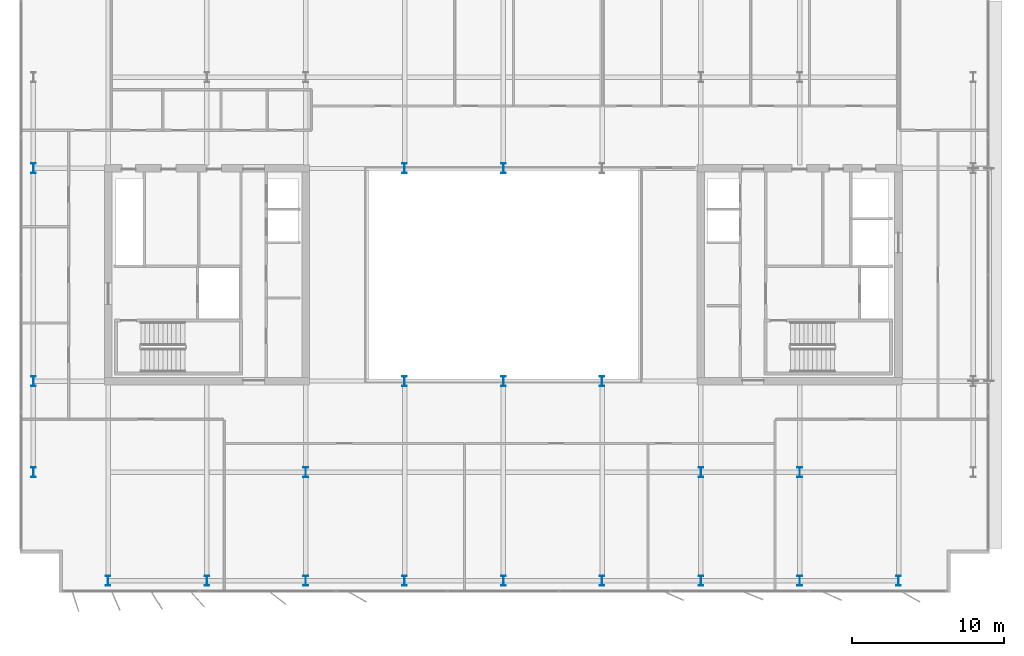
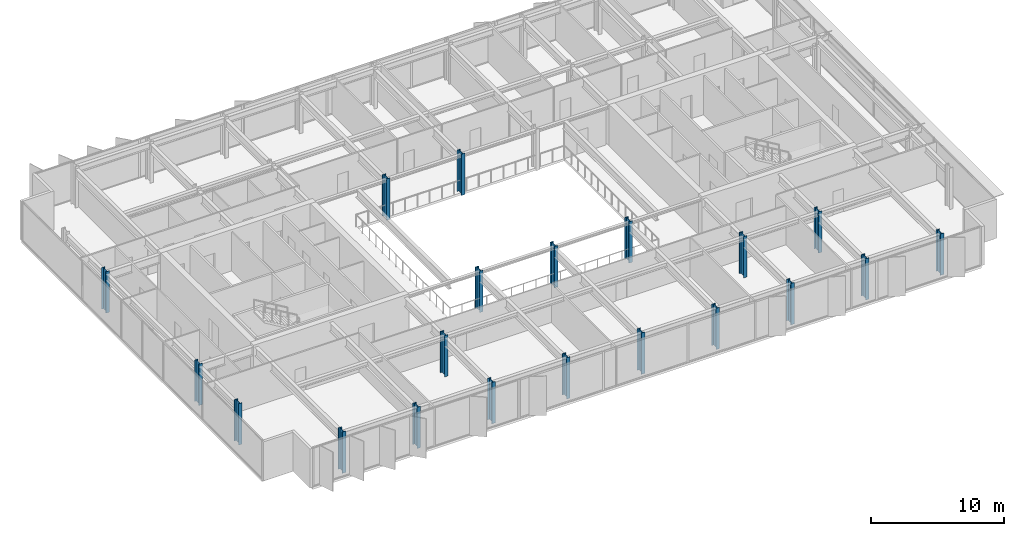
# One storey, part 1 of 19: 20 columns.
"""IFC4 building model written with IfcOpenShell, lengths in metres."""

import ifcopenshell
import ifcopenshell.guid

model = None  # the IFC model being written
_history = None  # IfcOwnerHistory: only IFC2X3 demands one
_inside = {}  # id of a spatial element -> (the spatial element, [elements in it])
_under = {}  # id of a project, library or spatial element -> (it, [spatial elements below it])
_declared = {}  # id of a project -> (the project, [libraries it declares])
_typed = {}  # id of a type object -> (the type object, [elements of that type])
_made_of = {}  # id of a material, layer set ... -> (it, [elements and type objects made of it])


def new_model(schema):
    """Start an empty IFC model of exactly this schema.

    Asked for "IFC4X3", IfcOpenShell would pick the latest addendum, in which some entities
    have other attributes; the version numbers below select the first issue.
    IFC2X3 requires an IfcOwnerHistory on every rooted entity: one is made here for all.
    """
    global model, _history
    if schema == "IFC4X3":
        model = ifcopenshell.file(schema_version=(4, 3, 0, 0))
    else:
        model = ifcopenshell.file(schema=schema)
    _inside.clear()
    _under.clear()
    _declared.clear()
    _typed.clear()
    _made_of.clear()
    _history = None
    if model.schema == "IFC2X3":
        org = make("IfcOrganization", Name="unknown")
        user = make(
            "IfcPersonAndOrganization",
            ThePerson=make("IfcPerson", FamilyName="unknown"),
            TheOrganization=org,
        )
        app = make(
            "IfcApplication",
            ApplicationDeveloper=org,
            Version="unknown",
            ApplicationFullName="unknown",
            ApplicationIdentifier="unknown",
        )
        _history = make(
            "IfcOwnerHistory",
            OwningUser=user,
            OwningApplication=app,
            ChangeAction="ADDED",
            CreationDate=0,
        )
    return model


def make(cls, **values):
    """One entity of the class cls with the attributes given. An attribute that is None is left unset."""
    return model.create_entity(
        cls, **{name: value for name, value in values.items() if value is not None}
    )


def rooted(cls, **values):
    """An entity with a GlobalId (a new one), such as an element, a storey or a relation."""
    return make(cls, GlobalId=ifcopenshell.guid.new(), OwnerHistory=_history, **values)


def si_unit(unit_type, name, prefix=None):
    """IfcSIUnit, for example si_unit("LENGTHUNIT", "METRE", prefix="MILLI")."""
    return make("IfcSIUnit", UnitType=unit_type, Prefix=prefix, Name=name)


def assignment(units):
    """IfcUnitAssignment: the units of a project."""
    return None if units is None else make("IfcUnitAssignment", Units=units)


def point(xyz):
    """IfcCartesianPoint."""
    return None if xyz is None else make("IfcCartesianPoint", Coordinates=xyz)


def direction(xyz):
    """IfcDirection."""
    return None if xyz is None else make("IfcDirection", DirectionRatios=xyz)


def frame(location, z_axis=None, x_axis=None):
    """IfcAxis2Placement3D, a coordinate frame: its origin and axes. An axis left out is left unset."""
    return make(
        "IfcAxis2Placement3D",
        Location=point(location),
        Axis=direction(z_axis),
        RefDirection=direction(x_axis),
    )


def frame_2d(location, x_axis=None):
    """IfcAxis2Placement2D, a coordinate frame in the plane: its origin and x axis."""
    return make(
        "IfcAxis2Placement2D", Location=point(location), RefDirection=direction(x_axis)
    )


def origin():
    """The frame at (0, 0, 0) with its axes left unset."""
    return frame((0.0, 0.0, 0.0))


def origin_2d():
    """The frame at (0, 0) in the plane with its x axis left unset."""
    return frame_2d((0.0, 0.0))


def place(relative_to, where):
    """IfcLocalPlacement: puts the frame where relative to a parent placement (None: the world)."""
    return make(
        "IfcLocalPlacement", PlacementRelTo=relative_to, RelativePlacement=where
    )


def context(
    kind, dimensions, precision=None, world=None, true_north=None, identifier=None
):
    """IfcGeometricRepresentationContext, for example the 3D "Model" context."""
    return make(
        "IfcGeometricRepresentationContext",
        ContextIdentifier=identifier,
        ContextType=kind,
        CoordinateSpaceDimension=dimensions,
        Precision=precision,
        WorldCoordinateSystem=world,
        TrueNorth=true_north,
    )


def subcontext(parent, identifier, kind, view, scale=None):
    """IfcGeometricRepresentationSubContext, for example "Body" below "Model"."""
    return make(
        "IfcGeometricRepresentationSubContext",
        ContextIdentifier=identifier,
        ContextType=kind,
        ParentContext=parent,
        TargetScale=scale,
        TargetView=view,
    )


def project(units=None, contexts=None):
    """IfcProject with its units and contexts."""
    return rooted(
        "IfcProject",
        Name="project",
        RepresentationContexts=contexts,
        UnitsInContext=assignment(units),
    )


def spatial(cls, under=None, at=None, **own):
    """A site, building, storey or space (cls), placed at a placement, below another one or the project."""
    s = rooted(cls, ObjectPlacement=at, **own)
    if under is not None:
        _under.setdefault(under.id(), (under, []))[1].append(s)
    return s


def profile(cls, at=None, kind="AREA", **sizes):
    """A parametric profile (cls). Its sizes go by their IFC names, for example OverallWidth=200.0."""
    return make(cls, ProfileType=kind, Position=at, **sizes)


def i_section(**sizes):
    """IfcIShapeProfileDef."""
    return profile("IfcIShapeProfileDef", **sizes)


def extrude(swept, where, along, depth):
    """IfcExtrudedAreaSolid: the profile swept, set in the frame where, extruded along a direction by depth."""
    return make(
        "IfcExtrudedAreaSolid",
        SweptArea=swept,
        Position=where,
        ExtrudedDirection=direction(along),
        Depth=depth,
    )


def shape(context_of_items, identifier, shape_type, items):
    """IfcShapeRepresentation: the items that make up one representation, for example the "Body"."""
    return make(
        "IfcShapeRepresentation",
        ContextOfItems=context_of_items,
        RepresentationIdentifier=identifier,
        RepresentationType=shape_type,
        Items=items,
    )


def material(Name=None, Category=None):
    """IfcMaterial."""
    return make("IfcMaterial", Name=Name, Category=Category)


def material_profile(
    of_material, cross_section, Name=None, Category=None, Priority=None
):
    """IfcMaterialProfile: a cross section and its material."""
    return make(
        "IfcMaterialProfile",
        Name=Name,
        Material=of_material,
        Profile=cross_section,
        Priority=Priority,
        Category=Category,
    )


def profile_set(profiles, Name=None, composite=None):
    """IfcMaterialProfileSet."""
    return make(
        "IfcMaterialProfileSet",
        Name=Name,
        MaterialProfiles=profiles,
        CompositeProfile=composite,
    )


def made_of(thing, what):
    """Note that an element or type object is made of a material, layer set ...; save() writes the relation."""
    if what is not None:
        _made_of.setdefault(what.id(), (what, []))[1].append(thing)
    return thing


def type_object(cls, material=None, **own):
    """A type object (cls), such as IfcWallType, which elements share."""
    return made_of(rooted(cls, **own), material)


def element(
    cls,
    number,
    at=None,
    inside=None,
    cuts=None,
    type_object=None,
    material=None,
    context=None,
    identifier="Body",
    shape_type=None,
    held_by="IfcProductDefinitionShape",
    body=None,
    shapes=None,
    **own,
):
    """One element of the class cls, such as IfcWall. Its Tag is "e" and its number.

    at: its placement. inside: the storey or other place that contains it. cuts: it is an
    opening in that element (IfcRelVoidsElement). A single representation is given by context,
    identifier, shape_type and body (its items); several are given by shapes. held_by: the class
    of the entity that holds the representations. save() writes the other relations.
    """
    e = rooted(cls, Tag="e%d" % number, ObjectPlacement=at, **own)
    if body is not None:
        shapes = [shape(context, identifier, shape_type, body)]
    if shapes is not None:
        e.Representation = make(held_by, Representations=shapes)
    if inside is not None:
        _inside.setdefault(inside.id(), (inside, []))[1].append(e)
    if cuts is not None:
        rooted(
            "IfcRelVoidsElement", RelatingBuildingElement=cuts, RelatedOpeningElement=e
        )
    if type_object is not None:
        _typed.setdefault(type_object.id(), (type_object, []))[1].append(e)
    return made_of(e, material)


def aggregate(whole, parts):
    """IfcRelAggregates: a whole, such as a stair, and the parts it consists of."""
    return rooted("IfcRelAggregates", RelatingObject=whole, RelatedObjects=parts)


def save(model, path):
    """Write the relations noted so far, then the file.

    IfcRelAggregates (storeys below a building ...), IfcRelContainedInSpatialStructure (elements
    in a storey), IfcRelDefinesByType, IfcRelAssociatesMaterial and IfcRelDeclares: one each for
    every whole, place, type object, material and project.
    """
    for whole, parts in _under.values():
        aggregate(whole, parts)
    for where, things in _inside.values():
        rooted(
            "IfcRelContainedInSpatialStructure",
            RelatedElements=things,
            RelatingStructure=where,
        )
    for kind, things in _typed.values():
        rooted("IfcRelDefinesByType", RelatedObjects=things, RelatingType=kind)
    for what, things in _made_of.values():
        rooted("IfcRelAssociatesMaterial", RelatedObjects=things, RelatingMaterial=what)
    for by, libraries in _declared.values():
        rooted("IfcRelDeclares", RelatingContext=by, RelatedDefinitions=libraries)
    model.write(path)


model = new_model("IFC4")

# Units and contexts
model_context = context("Model", 3, precision=1e-05, world=origin(), true_north=direction((0.0, 1.0)))
body_context = subcontext(model_context, "Body", "Model", "MODEL_VIEW")
ifc_project = project(units=[si_unit("LENGTHUNIT", "METRE"), si_unit("AREAUNIT", "SQUARE_METRE"), si_unit("VOLUMEUNIT", "CUBIC_METRE"), si_unit("PLANEANGLEUNIT", "RADIAN"), si_unit("MASSUNIT", "GRAM", prefix="KILO")], contexts=[model_context])

# Site, building, storey
site_placement = place(None, origin())
site = spatial("IfcSite", under=ifc_project, at=site_placement, CompositionType="ELEMENT")
building_placement = place(site_placement, origin())
building = spatial("IfcBuilding", under=site, at=building_placement, Name="Putna Gate Headquarters", CompositionType="ELEMENT")
storey_placement = place(building_placement, frame((0.0, 0.0, 263.199951171875)))
storey = spatial("IfcBuildingStorey", under=building, at=storey_placement, Name="L66", CompositionType="ELEMENT", Elevation=263.199951171875)

# Columns
ifc_material = material(Name="Steel S460M", Category="steel")
ifc_material_profile_1 = material_profile(ifc_material, i_section(OverallWidth=0.304931640625, OverallDepth=0.66796875, WebThickness=0.02099609375, FlangeThickness=0.0400390625, at=origin_2d()), Name="Steel S460M")
ifc_profile_set_1 = profile_set([ifc_material_profile_1], Name="Steel S460M")
column_type_1 = type_object("IfcColumnType", Name="COL-STL-HEM650-EXT", PredefinedType="COLUMN", material=ifc_profile_set_1)
for number, where, z_axis, x_axis, name in (
    (1, (13.0, 5.8798828125, 0.0), (0.0, 0.0, 1.0), (1.0, 0.0, 0.0), "L66 Column CP-S13"),
    (2, (19.5, 5.8798828125, 0.0), (0.0, 0.0, 1.0), (1.0, 0.0, 0.0), "L66 Column CP-S19"),
    (3, (26.0, 5.8798828125, 0.0), (0.0, 0.0, 1.0), (1.0, 0.0, 0.0), "L66 Column CP-S26"),
    (4, (32.5, 5.8798828125, 0.0), (0.0, 0.0, 1.0), (1.0, 0.0, 0.0), "L66 Column CP-S32"),
    (5, (39.0, 5.8798828125, 0.0), (0.0, 0.0, 1.0), (1.0, 0.0, 0.0), "L66 Column CP-S39"),
    (6, (45.5, 5.8798828125, 0.0), (0.0, 0.0, 1.0), (1.0, 0.0, 0.0), "L66 Column CP-S45"),
    (7, (52.0, 5.8798828125, 0.0), (0.0, 0.0, 1.0), (1.0, 0.0, 0.0), "L66 Column CP-S52"),
    (8, (58.5, 5.8798828125, 0.0), (0.0, 0.0, 1.0), (1.0, 0.0, 0.0), "L66 Column CP-S58"),
    (9, (65.0, 5.8798828125, 0.0), (0.0, 0.0, 1.0), (1.0, 0.0, 0.0), "L66 Column CP-S65"),
    (10, (8.080078125, 13.0, 0.0), (0.0, 0.0, 1.0), (1.0, 0.0, 0.0), "L66 Column CP-W13"),
    (11, (8.080078125, 19.0, 0.0), (0.0, 0.0, 1.0), (1.0, 0.0, 0.0), "L66 Column CP-W19"),
    (12, (8.080078125, 33.0, 0.0), (0.0, 0.0, 1.0), (1.0, 0.0, 0.0), "L66 Column CP-W33"),
):
    element("IfcColumn", number, at=place(storey_placement, frame(where, z_axis=z_axis, x_axis=x_axis)), inside=storey, type_object=column_type_1, Name=name, PredefinedType="COLUMN", context=body_context, shape_type="SweptSolid", body=[
        extrude(i_section(OverallWidth=0.304931640625, OverallDepth=0.66796875, WebThickness=0.02099609375, FlangeThickness=0.0400390625, at=origin_2d()), origin(), (0.0, 0.0, 1.0), 3.800048828125),
    ])
ifc_material_profile_2 = material_profile(ifc_material, i_section(OverallWidth=0.304931640625, OverallDepth=0.66796875, WebThickness=0.02099609375, FlangeThickness=0.0400390625, at=origin_2d()), Name="Steel S460M")
ifc_profile_set_2 = profile_set([ifc_material_profile_2], Name="Steel S460M")
column_type_2 = type_object("IfcColumnType", Name="COL-STL-HEM650-INT", PredefinedType="COLUMN", material=ifc_profile_set_2)
for number, where, z_axis, x_axis, name in (
    (13, (58.5, 13.0, 0.0), (0.0, 0.0, 1.0), (1.0, 0.0, 0.0), "L66 Column CSI-ES"),
    (14, (32.5, 19.0, 0.0), (0.0, 0.0, 1.0), (1.0, 0.0, 0.0), "L66 Column CAI-S32"),
    (15, (32.5, 33.0, 0.0), (0.0, 0.0, 1.0), (1.0, 0.0, 0.0), "L66 Column CAI-N32"),
    (16, (39.0, 19.0, 0.0), (0.0, 0.0, 1.0), (1.0, 0.0, 0.0), "L66 Column CAI-S39"),
    (17, (39.0, 33.0, 0.0), (0.0, 0.0, 1.0), (1.0, 0.0, 0.0), "L66 Column CAI-N39"),
    (18, (45.5, 19.0, 0.0), (0.0, 0.0, 1.0), (1.0, 0.0, 0.0), "L66 Column CAI-S45"),
    (19, (26.0, 13.0, 0.0), (0.0, 0.0, 1.0), (1.0, 0.0, 0.0), "L66 Column CAP-WS"),
    (20, (52.0, 13.0, 0.0), (0.0, 0.0, 1.0), (1.0, 0.0, 0.0), "L66 Column CAP-ES"),
):
    element("IfcColumn", number, at=place(storey_placement, frame(where, z_axis=z_axis, x_axis=x_axis)), inside=storey, type_object=column_type_2, Name=name, PredefinedType="COLUMN", context=body_context, shape_type="SweptSolid", body=[
        extrude(i_section(OverallWidth=0.304931640625, OverallDepth=0.66796875, WebThickness=0.02099609375, FlangeThickness=0.0400390625, at=origin_2d()), origin(), (0.0, 0.0, 1.0), 3.800048828125),
    ])

save(model, "model.ifc")
